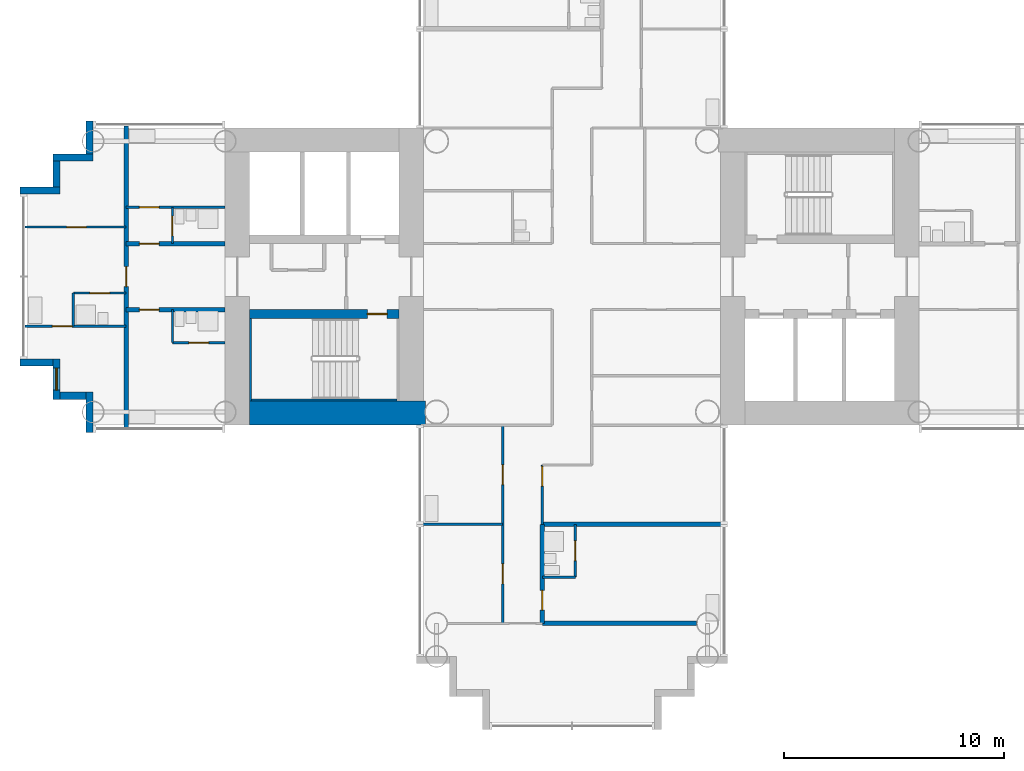
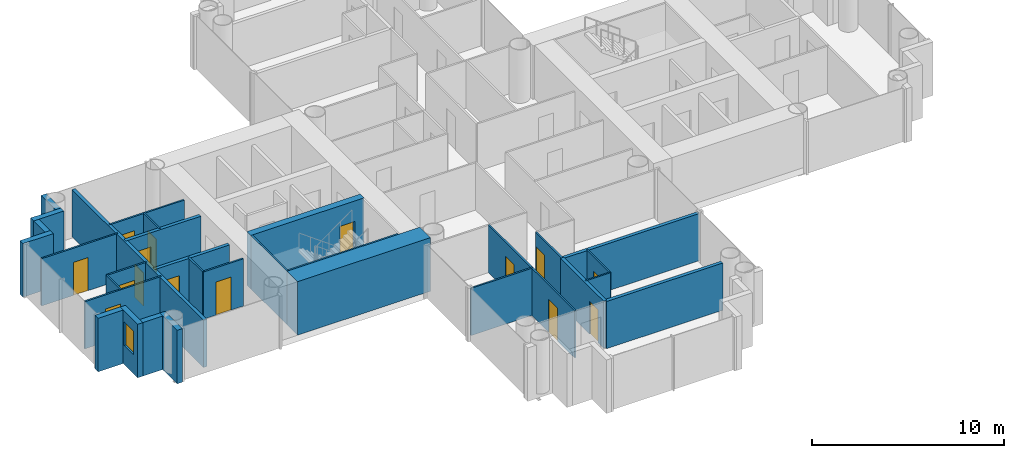
# One storey, part 9 of 22: 31 walls, 15 doors, 1 window, 16 openings.
"""IFC4 building model written with IfcOpenShell, lengths in metres."""

import ifcopenshell
import ifcopenshell.guid

model = None  # the IFC model being written
_history = None  # IfcOwnerHistory: only IFC2X3 demands one
_inside = {}  # id of a spatial element -> (the spatial element, [elements in it])
_under = {}  # id of a project, library or spatial element -> (it, [spatial elements below it])
_declared = {}  # id of a project -> (the project, [libraries it declares])
_typed = {}  # id of a type object -> (the type object, [elements of that type])
_made_of = {}  # id of a material, layer set ... -> (it, [elements and type objects made of it])


def new_model(schema):
    """Start an empty IFC model of exactly this schema.

    Asked for "IFC4X3", IfcOpenShell would pick the latest addendum, in which some entities
    have other attributes; the version numbers below select the first issue.
    IFC2X3 requires an IfcOwnerHistory on every rooted entity: one is made here for all.
    """
    global model, _history
    if schema == "IFC4X3":
        model = ifcopenshell.file(schema_version=(4, 3, 0, 0))
    else:
        model = ifcopenshell.file(schema=schema)
    _inside.clear()
    _under.clear()
    _declared.clear()
    _typed.clear()
    _made_of.clear()
    _history = None
    if model.schema == "IFC2X3":
        org = make("IfcOrganization", Name="unknown")
        user = make(
            "IfcPersonAndOrganization",
            ThePerson=make("IfcPerson", FamilyName="unknown"),
            TheOrganization=org,
        )
        app = make(
            "IfcApplication",
            ApplicationDeveloper=org,
            Version="unknown",
            ApplicationFullName="unknown",
            ApplicationIdentifier="unknown",
        )
        _history = make(
            "IfcOwnerHistory",
            OwningUser=user,
            OwningApplication=app,
            ChangeAction="ADDED",
            CreationDate=0,
        )
    return model


def make(cls, **values):
    """One entity of the class cls with the attributes given. An attribute that is None is left unset."""
    return model.create_entity(
        cls, **{name: value for name, value in values.items() if value is not None}
    )


def rooted(cls, **values):
    """An entity with a GlobalId (a new one), such as an element, a storey or a relation."""
    return make(cls, GlobalId=ifcopenshell.guid.new(), OwnerHistory=_history, **values)


def si_unit(unit_type, name, prefix=None):
    """IfcSIUnit, for example si_unit("LENGTHUNIT", "METRE", prefix="MILLI")."""
    return make("IfcSIUnit", UnitType=unit_type, Prefix=prefix, Name=name)


def assignment(units):
    """IfcUnitAssignment: the units of a project."""
    return None if units is None else make("IfcUnitAssignment", Units=units)


def point(xyz):
    """IfcCartesianPoint."""
    return None if xyz is None else make("IfcCartesianPoint", Coordinates=xyz)


def direction(xyz):
    """IfcDirection."""
    return None if xyz is None else make("IfcDirection", DirectionRatios=xyz)


def frame(location, z_axis=None, x_axis=None):
    """IfcAxis2Placement3D, a coordinate frame: its origin and axes. An axis left out is left unset."""
    return make(
        "IfcAxis2Placement3D",
        Location=point(location),
        Axis=direction(z_axis),
        RefDirection=direction(x_axis),
    )


def frame_2d(location, x_axis=None):
    """IfcAxis2Placement2D, a coordinate frame in the plane: its origin and x axis."""
    return make(
        "IfcAxis2Placement2D", Location=point(location), RefDirection=direction(x_axis)
    )


def origin():
    """The frame at (0, 0, 0) with its axes left unset."""
    return frame((0.0, 0.0, 0.0))


def place(relative_to, where):
    """IfcLocalPlacement: puts the frame where relative to a parent placement (None: the world)."""
    return make(
        "IfcLocalPlacement", PlacementRelTo=relative_to, RelativePlacement=where
    )


def context(
    kind, dimensions, precision=None, world=None, true_north=None, identifier=None
):
    """IfcGeometricRepresentationContext, for example the 3D "Model" context."""
    return make(
        "IfcGeometricRepresentationContext",
        ContextIdentifier=identifier,
        ContextType=kind,
        CoordinateSpaceDimension=dimensions,
        Precision=precision,
        WorldCoordinateSystem=world,
        TrueNorth=true_north,
    )


def subcontext(parent, identifier, kind, view, scale=None):
    """IfcGeometricRepresentationSubContext, for example "Body" below "Model"."""
    return make(
        "IfcGeometricRepresentationSubContext",
        ContextIdentifier=identifier,
        ContextType=kind,
        ParentContext=parent,
        TargetScale=scale,
        TargetView=view,
    )


def project(units=None, contexts=None):
    """IfcProject with its units and contexts."""
    return rooted(
        "IfcProject",
        Name="project",
        RepresentationContexts=contexts,
        UnitsInContext=assignment(units),
    )


def spatial(cls, under=None, at=None, **own):
    """A site, building, storey or space (cls), placed at a placement, below another one or the project."""
    s = rooted(cls, ObjectPlacement=at, **own)
    if under is not None:
        _under.setdefault(under.id(), (under, []))[1].append(s)
    return s


def profile(cls, at=None, kind="AREA", **sizes):
    """A parametric profile (cls). Its sizes go by their IFC names, for example OverallWidth=200.0."""
    return make(cls, ProfileType=kind, Position=at, **sizes)


def rectangle(**sizes):
    """IfcRectangleProfileDef."""
    return profile("IfcRectangleProfileDef", **sizes)


def extrude(swept, where, along, depth):
    """IfcExtrudedAreaSolid: the profile swept, set in the frame where, extruded along a direction by depth."""
    return make(
        "IfcExtrudedAreaSolid",
        SweptArea=swept,
        Position=where,
        ExtrudedDirection=direction(along),
        Depth=depth,
    )


def shape(context_of_items, identifier, shape_type, items):
    """IfcShapeRepresentation: the items that make up one representation, for example the "Body"."""
    return make(
        "IfcShapeRepresentation",
        ContextOfItems=context_of_items,
        RepresentationIdentifier=identifier,
        RepresentationType=shape_type,
        Items=items,
    )


def material(Name=None, Category=None):
    """IfcMaterial."""
    return make("IfcMaterial", Name=Name, Category=Category)


def layer(
    of_material, thickness, ventilated=None, Name=None, Category=None, Priority=None
):
    """IfcMaterialLayer: one layer of a wall or slab, of a material (None: an air gap)."""
    return make(
        "IfcMaterialLayer",
        Material=of_material,
        LayerThickness=thickness,
        IsVentilated=ventilated,
        Name=Name,
        Category=Category,
        Priority=Priority,
    )


def layer_set(layers, Name=None):
    """IfcMaterialLayerSet."""
    return make("IfcMaterialLayerSet", MaterialLayers=layers, LayerSetName=Name)


def made_of(thing, what):
    """Note that an element or type object is made of a material, layer set ...; save() writes the relation."""
    if what is not None:
        _made_of.setdefault(what.id(), (what, []))[1].append(thing)
    return thing


def type_object(cls, material=None, **own):
    """A type object (cls), such as IfcWallType, which elements share."""
    return made_of(rooted(cls, **own), material)


def element(
    cls,
    number,
    at=None,
    inside=None,
    cuts=None,
    type_object=None,
    material=None,
    context=None,
    identifier="Body",
    shape_type=None,
    held_by="IfcProductDefinitionShape",
    body=None,
    shapes=None,
    **own,
):
    """One element of the class cls, such as IfcWall. Its Tag is "e" and its number.

    at: its placement. inside: the storey or other place that contains it. cuts: it is an
    opening in that element (IfcRelVoidsElement). A single representation is given by context,
    identifier, shape_type and body (its items); several are given by shapes. held_by: the class
    of the entity that holds the representations. save() writes the other relations.
    """
    e = rooted(cls, Tag="e%d" % number, ObjectPlacement=at, **own)
    if body is not None:
        shapes = [shape(context, identifier, shape_type, body)]
    if shapes is not None:
        e.Representation = make(held_by, Representations=shapes)
    if inside is not None:
        _inside.setdefault(inside.id(), (inside, []))[1].append(e)
    if cuts is not None:
        rooted(
            "IfcRelVoidsElement", RelatingBuildingElement=cuts, RelatedOpeningElement=e
        )
    if type_object is not None:
        _typed.setdefault(type_object.id(), (type_object, []))[1].append(e)
    return made_of(e, material)


def fill(opening, filler):
    """IfcRelFillsElement: the door or window that sits in an opening."""
    return rooted(
        "IfcRelFillsElement",
        RelatingOpeningElement=opening,
        RelatedBuildingElement=filler,
    )


def aggregate(whole, parts):
    """IfcRelAggregates: a whole, such as a stair, and the parts it consists of."""
    return rooted("IfcRelAggregates", RelatingObject=whole, RelatedObjects=parts)


def save(model, path):
    """Write the relations noted so far, then the file.

    IfcRelAggregates (storeys below a building ...), IfcRelContainedInSpatialStructure (elements
    in a storey), IfcRelDefinesByType, IfcRelAssociatesMaterial and IfcRelDeclares: one each for
    every whole, place, type object, material and project.
    """
    for whole, parts in _under.values():
        aggregate(whole, parts)
    for where, things in _inside.values():
        rooted(
            "IfcRelContainedInSpatialStructure",
            RelatedElements=things,
            RelatingStructure=where,
        )
    for kind, things in _typed.values():
        rooted("IfcRelDefinesByType", RelatedObjects=things, RelatingType=kind)
    for what, things in _made_of.values():
        rooted("IfcRelAssociatesMaterial", RelatedObjects=things, RelatingMaterial=what)
    for by, libraries in _declared.values():
        rooted("IfcRelDeclares", RelatingContext=by, RelatedDefinitions=libraries)
    model.write(path)


model = new_model("IFC4")

# Units and contexts
model_context = context("Model", 3, precision=1e-05, world=origin(), true_north=direction((0.0, 1.0)))
body_context = subcontext(model_context, "Body", "Model", "MODEL_VIEW")
ifc_project = project(units=[si_unit("LENGTHUNIT", "METRE"), si_unit("AREAUNIT", "SQUARE_METRE"), si_unit("VOLUMEUNIT", "CUBIC_METRE"), si_unit("PLANEANGLEUNIT", "RADIAN"), si_unit("MASSUNIT", "GRAM", prefix="KILO")], contexts=[model_context])

# Site, building, storey
site_placement = place(None, origin())
site = spatial("IfcSite", under=ifc_project, at=site_placement, CompositionType="ELEMENT")
building_placement = place(site_placement, origin())
building = spatial("IfcBuilding", under=site, at=building_placement, Name="Ipe Terrace Towers", CompositionType="ELEMENT")
storey_placement = place(building_placement, frame((0.0, 0.0, 61.89990234375)))
storey = spatial("IfcBuildingStorey", under=building, at=storey_placement, Name="L16", CompositionType="ELEMENT", Elevation=61.89990234375)

# Wall
ifc_material_1 = material(Name="Concrete C40/50 with buff precast cladding", Category="concrete")
ifc_layer_1 = layer(ifc_material_1, 0.320068359375)
ifc_layer_set_1 = layer_set([ifc_layer_1], Name="BUFF CLADDING WALL 320")
wall_type_1 = type_object("IfcWallType", Name="BUFF CLADDING WALL 320", PredefinedType="STANDARD", material=ifc_layer_set_1)
wall_1_placement = place(storey_placement, frame((-61.070068359375, -3.909912109375, -0.2998046875), z_axis=(0.0, 0.0, 1.0), x_axis=(1.0, 0.0, 0.0)))
element("IfcWall", 1, at=wall_1_placement, inside=storey, type_object=wall_type_1, Name="T1-W-L16-00a wall", PredefinedType="STANDARD", context=body_context, shape_type="SweptSolid", body=[
    extrude(rectangle(XDim=1.5, YDim=0.320068359375, at=frame_2d((0.75, 0.0))), origin(), (0.0, 0.0, 1.0), 3.39990234375),
])

# Wall, opening, window
wall_2_placement = place(storey_placement, frame((-59.409912109375, -3.75, -0.2998046875), z_axis=(0.0, 0.0, 1.0), x_axis=(0.0, -1.0, 0.0)))
wall_2 = element("IfcWall", 2, at=wall_2_placement, inside=storey, type_object=wall_type_1, Name="T1-W-L16-01a wall", PredefinedType="STANDARD", context=body_context, shape_type="SweptSolid", body=[
    extrude(rectangle(XDim=1.820068359375, YDim=0.320068359375, at=frame_2d((0.91015625, 0.0))), origin(), (0.0, 0.0, 1.0), 3.39990234375),
])
opening_1_placement = place(wall_2_placement, frame((0.409912109375, 0.0, 1.199951171875)))
opening_1 = element("IfcOpeningElement", 3, at=opening_1_placement, cuts=wall_2, Name="Opening T1-W-05-L16-01", PredefinedType="OPENING", context=body_context, shape_type="SweptSolid", body=[
    extrude(rectangle(XDim=1.0, YDim=1.5, at=frame_2d((0.5, 0.75))), frame((0.0, 0.169921875, 0.0), z_axis=(0.0, -1.0, 0.0), x_axis=(1.0, 0.0, 0.0)), (0.0, 0.0, 1.0), 0.340087890625),
])
ifc_material_2 = material(Name="Glass, clear laminated", Category="glass")
window_type = type_object("IfcWindowType", Name="DWELLING WINDOW 1000 x 1500", PartitioningType="SINGLE_PANEL", PredefinedType="WINDOW", material=ifc_material_2)
window_placement = place(opening_1_placement, origin())
window = element("IfcWindow", 4, at=window_placement, inside=storey, type_object=window_type, Name="W-05 window", OverallHeight=1.5, OverallWidth=1.0, PartitioningType="SINGLE_PANEL", PredefinedType="WINDOW", context=body_context, shape_type="SweptSolid", body=[
    extrude(rectangle(XDim=1.0, YDim=1.5, at=frame_2d((0.5, 0.75))), frame((0.0, 0.030029296875, 0.0), z_axis=(0.0, -1.0, 0.0), x_axis=(1.0, 0.0, 0.0)), (0.0, 0.0, 1.0), 0.06005859375),
])
fill(opening_1, window)

# Walls
wall_3_placement = place(storey_placement, frame((-59.25, -5.409912109375, -0.2998046875), z_axis=(0.0, 0.0, 1.0), x_axis=(1.0, 0.0, 0.0)))
element("IfcWall", 5, at=wall_3_placement, inside=storey, type_object=wall_type_1, Name="T1-W-L16-02a wall", PredefinedType="STANDARD", context=body_context, shape_type="SweptSolid", body=[
    extrude(rectangle(XDim=1.179931640625, YDim=0.320068359375, at=frame_2d((0.58984375, 0.0))), origin(), (0.0, 0.0, 1.0), 3.39990234375),
])
wall_4_placement = place(storey_placement, frame((-57.909912109375, -5.25, -0.2998046875), z_axis=(0.0, 0.0, 1.0), x_axis=(0.0, -1.0, 0.0)))
element("IfcWall", 6, at=wall_4_placement, inside=storey, type_object=wall_type_1, Name="T1-W-L16-03a wall", PredefinedType="STANDARD", context=body_context, shape_type="SweptSolid", body=[
    extrude(rectangle(XDim=1.820068359375, YDim=0.320068359375, at=frame_2d((0.91015625, 0.0))), origin(), (0.0, 0.0, 1.0), 3.39990234375),
])
wall_5_placement = place(storey_placement, frame((-57.909912109375, 7.070068359375, -0.2998046875), z_axis=(0.0, 0.0, 1.0), x_axis=(0.0, -1.0, 0.0)))
element("IfcWall", 7, at=wall_5_placement, inside=storey, type_object=wall_type_1, Name="T1-W-L16-47a wall", PredefinedType="STANDARD", context=body_context, shape_type="SweptSolid", body=[
    extrude(rectangle(XDim=1.5, YDim=0.320068359375, at=frame_2d((0.75, 0.0))), origin(), (0.0, 0.0, 1.0), 3.39990234375),
])
wall_6_placement = place(storey_placement, frame((-57.75, 5.409912109375, -0.2998046875), z_axis=(0.0, 0.0, 1.0), x_axis=(-1.0, 0.0, 0.0)))
element("IfcWall", 8, at=wall_6_placement, inside=storey, type_object=wall_type_1, Name="T1-W-L16-48a wall", PredefinedType="STANDARD", context=body_context, shape_type="SweptSolid", body=[
    extrude(rectangle(XDim=1.820068359375, YDim=0.320068359375, at=frame_2d((0.91015625, 0.0))), origin(), (0.0, 0.0, 1.0), 3.39990234375),
])
wall_7_placement = place(storey_placement, frame((-59.409912109375, 5.25, -0.2998046875), z_axis=(0.0, 0.0, 1.0), x_axis=(0.0, -1.0, 0.0)))
element("IfcWall", 9, at=wall_7_placement, inside=storey, type_object=wall_type_1, Name="T1-W-L16-49a wall", PredefinedType="STANDARD", context=body_context, shape_type="SweptSolid", body=[
    extrude(rectangle(XDim=1.179931640625, YDim=0.320068359375, at=frame_2d((0.58984375, 0.0))), origin(), (0.0, 0.0, 1.0), 3.39990234375),
])
wall_8_placement = place(storey_placement, frame((-59.25, 3.909912109375, -0.2998046875), z_axis=(0.0, 0.0, 1.0), x_axis=(-1.0, 0.0, 0.0)))
element("IfcWall", 10, at=wall_8_placement, inside=storey, type_object=wall_type_1, Name="T1-W-L16-50a wall", PredefinedType="STANDARD", context=body_context, shape_type="SweptSolid", body=[
    extrude(rectangle(XDim=1.820068359375, YDim=0.320068359375, at=frame_2d((0.91015625, 0.0))), origin(), (0.0, 0.0, 1.0), 3.39990234375),
])
ifc_material_3 = material(Name="Gypsum board partition", Category="plasterboard")
ifc_layer_2 = layer(ifc_material_3, 0.10009765625)
ifc_layer_set_2 = layer_set([ifc_layer_2], Name="Gypsum board partition 100 mm")
wall_type_2 = type_object("IfcWallType", Name="Gypsum board partition 100 mm", PredefinedType="PARTITIONING", material=ifc_layer_set_2)
for number, where, z_axis, x_axis, name in (
    (11, (-58.64990234375, -2.25, 0.0), (0.0, 0.0, 1.0), (0.0, 1.0, 0.0), "Gypsum board partition T1 L16 W01"),
    (12, (-54.14990234375, -3.0, 0.0), (0.0, 0.0, 1.0), (0.0, 1.0, 0.0), "Gypsum board partition T1 L16 W03"),
):
    element("IfcWall", number, at=place(storey_placement, frame(where, z_axis=z_axis, x_axis=x_axis)), inside=storey, type_object=wall_type_2, Name=name, PredefinedType="PARTITIONING", context=body_context, shape_type="SweptSolid", body=[
        extrude(rectangle(XDim=1.5, YDim=0.10009765625, at=frame_2d((0.75, 0.0))), origin(), (0.0, 0.0, 1.0), 3.0),
    ])

# Wall, opening, door
wall_9_placement = place(storey_placement, frame((-54.14990234375, 1.5, 0.0), z_axis=(0.0, 0.0, 1.0), x_axis=(0.0, 1.0, 0.0)))
wall_9 = element("IfcWall", 13, at=wall_9_placement, inside=storey, type_object=wall_type_2, Name="Gypsum board partition T1 L16 W04", PredefinedType="PARTITIONING", context=body_context, shape_type="SweptSolid", body=[
    extrude(rectangle(XDim=1.64990234375, YDim=0.10009765625, at=frame_2d((0.824951171875, 0.0))), origin(), (0.0, 0.0, 1.0), 3.0),
])
opening_2_placement = place(wall_9_placement, frame((0.35009765625, 0.0, 0.0)))
opening_2 = element("IfcOpeningElement", 14, at=opening_2_placement, cuts=wall_9, Name="Opening T1-Z1D-29", PredefinedType="OPENING", context=body_context, shape_type="SweptSolid", body=[
    extrude(rectangle(XDim=0.89990234375, YDim=2.10009765625, at=frame_2d((0.449951171875, 1.050048828125))), frame((0.0, 0.06005859375, 0.0), z_axis=(0.0, -1.0, 0.0), x_axis=(1.0, 0.0, 0.0)), (0.0, 0.0, 1.0), 0.1201171875),
])
ifc_material_4 = material(Name="Timber door leaf", Category="wood")
door_type_1 = type_object("IfcDoorType", Name="Bathroom door 900 x 2100", OperationType="NOTDEFINED", PredefinedType="DOOR", material=ifc_material_4)
door_1_placement = place(opening_2_placement, origin())
door_1 = element("IfcDoor", 15, at=door_1_placement, inside=storey, type_object=door_type_1, Name="Bathroom door T1-Z1D-29", OperationType="SINGLE_SWING_LEFT", OverallHeight=2.10009765625, OverallWidth=0.89990234375, PredefinedType="DOOR", context=body_context, shape_type="SweptSolid", body=[
    extrude(rectangle(XDim=0.89990234375, YDim=2.10009765625, at=frame_2d((0.449951171875, 1.050048828125))), frame((0.0, 0.02490234375, 0.0), z_axis=(0.0, -1.0, 0.0), x_axis=(1.0, 0.0, 0.0)), (0.0, 0.0, 1.0), 0.050048828125),
])
fill(opening_2, door_1)

# Wall, openings, doors
wall_10_placement = place(storey_placement, frame((-39.14990234375, -15.75, 0.0), z_axis=(0.0, 0.0, 1.0), x_axis=(0.0, 1.0, 0.0)))
wall_10 = element("IfcWall", 16, at=wall_10_placement, inside=storey, type_object=wall_type_2, Name="Gypsum board partition T1 L16 W05", PredefinedType="PARTITIONING", context=body_context, shape_type="SweptSolid", body=[
    extrude(rectangle(XDim=9.0, YDim=0.10009765625, at=frame_2d((4.5, 0.0))), origin(), (0.0, 0.0, 1.0), 3.0),
])
opening_3_placement = place(wall_10_placement, frame((6.300048828125, 0.0, 0.0)))
opening_3 = element("IfcOpeningElement", 17, at=opening_3_placement, cuts=wall_10, Name="Opening T1-Z1D-18", PredefinedType="OPENING", context=body_context, shape_type="SweptSolid", body=[
    extrude(rectangle(XDim=0.89990234375, YDim=2.10009765625, at=frame_2d((0.449951171875, 1.050048828125))), frame((0.0, 0.06005859375, 0.0), z_axis=(0.0, -1.0, 0.0), x_axis=(1.0, 0.0, 0.0)), (0.0, 0.0, 1.0), 0.1201171875),
])
opening_4_placement = place(wall_10_placement, frame((1.800048828125, 0.0, 0.0)))
opening_4 = element("IfcOpeningElement", 18, at=opening_4_placement, cuts=wall_10, Name="Opening T1-Z1D-19", PredefinedType="OPENING", context=body_context, shape_type="SweptSolid", body=[
    extrude(rectangle(XDim=0.89990234375, YDim=2.10009765625, at=frame_2d((0.449951171875, 1.050048828125))), frame((0.0, 0.06005859375, 0.0), z_axis=(0.0, -1.0, 0.0), x_axis=(1.0, 0.0, 0.0)), (0.0, 0.0, 1.0), 0.1201171875),
])
ifc_material_5 = material(Name="Timber door leaf", Category="wood")
door_type_2 = type_object("IfcDoorType", Name="Lounge door 900 x 2100", OperationType="NOTDEFINED", PredefinedType="DOOR", material=ifc_material_5)
door_2_placement = place(opening_3_placement, origin())
door_2 = element("IfcDoor", 19, at=door_2_placement, inside=storey, type_object=door_type_2, Name="Lounge door T1-Z1D-18", OperationType="SINGLE_SWING_LEFT", OverallHeight=2.10009765625, OverallWidth=0.89990234375, PredefinedType="DOOR", context=body_context, shape_type="SweptSolid", body=[
    extrude(rectangle(XDim=0.89990234375, YDim=2.10009765625, at=frame_2d((0.449951171875, 1.050048828125))), frame((0.0, 0.02490234375, 0.0), z_axis=(0.0, -1.0, 0.0), x_axis=(1.0, 0.0, 0.0)), (0.0, 0.0, 1.0), 0.050048828125),
])
fill(opening_3, door_2)
door_3_placement = place(opening_4_placement, origin())
door_3 = element("IfcDoor", 20, at=door_3_placement, inside=storey, type_object=door_type_2, Name="Lounge door T1-Z1D-19", OperationType="SINGLE_SWING_RIGHT", OverallHeight=2.10009765625, OverallWidth=0.89990234375, PredefinedType="DOOR", context=body_context, shape_type="SweptSolid", body=[
    extrude(rectangle(XDim=0.89990234375, YDim=2.10009765625, at=frame_2d((0.449951171875, 1.050048828125))), frame((0.0, 0.02490234375, 0.0), z_axis=(0.0, -1.0, 0.0), x_axis=(1.0, 0.0, 0.0)), (0.0, 0.0, 1.0), 0.050048828125),
])
fill(opening_4, door_3)

# Wall, opening, door
wall_11_placement = place(storey_placement, frame((-37.35009765625, -11.25, 0.0), z_axis=(0.0, 0.0, 1.0), x_axis=(0.0, 1.0, 0.0)))
wall_11 = element("IfcWall", 21, at=wall_11_placement, inside=storey, type_object=wall_type_2, Name="Gypsum board partition T1 L16 W07", PredefinedType="PARTITIONING", context=body_context, shape_type="SweptSolid", body=[
    extrude(rectangle(XDim=2.699951171875, YDim=0.10009765625, at=frame_2d((1.35009765625, 0.0))), origin(), (0.0, 0.0, 1.0), 3.0),
])
opening_5_placement = place(wall_11_placement, frame((1.72998046875, 0.0, 0.0)))
opening_5 = element("IfcOpeningElement", 22, at=opening_5_placement, cuts=wall_11, Name="Opening T1-Z1D-15", PredefinedType="OPENING", context=body_context, shape_type="SweptSolid", body=[
    extrude(rectangle(XDim=0.89990234375, YDim=2.10009765625, at=frame_2d((0.449951171875, 1.050048828125))), frame((0.0, 0.06005859375, 0.0), z_axis=(0.0, -1.0, 0.0), x_axis=(1.0, 0.0, 0.0)), (0.0, 0.0, 1.0), 0.1201171875),
])
door_4_placement = place(opening_5_placement, origin())
door_4 = element("IfcDoor", 23, at=door_4_placement, inside=storey, type_object=door_type_2, Name="Lounge door T1-Z1D-15", OperationType="SINGLE_SWING_RIGHT", OverallHeight=2.10009765625, OverallWidth=0.89990234375, PredefinedType="DOOR", context=body_context, shape_type="SweptSolid", body=[
    extrude(rectangle(XDim=0.89990234375, YDim=2.10009765625, at=frame_2d((0.449951171875, 1.050048828125))), frame((0.0, 0.02490234375, 0.0), z_axis=(0.0, -1.0, 0.0), x_axis=(1.0, 0.0, 0.0)), (0.0, 0.0, 1.0), 0.050048828125),
])
fill(opening_5, door_4)

wall_12_placement = place(storey_placement, frame((-35.85009765625, -13.64990234375, 0.0), z_axis=(0.0, 0.0, 1.0), x_axis=(0.0, 1.0, 0.0)))
wall_12 = element("IfcWall", 24, at=wall_12_placement, inside=storey, type_object=wall_type_2, Name="Gypsum board partition T1 L16 W12", PredefinedType="PARTITIONING", context=body_context, shape_type="SweptSolid", body=[
    extrude(rectangle(XDim=2.39990234375, YDim=0.10009765625, at=frame_2d((1.199951171875, 0.0))), origin(), (0.0, 0.0, 1.0), 3.0),
])
opening_6_placement = place(wall_12_placement, frame((0.75, 0.0, 0.0)))
opening_6 = element("IfcOpeningElement", 25, at=opening_6_placement, cuts=wall_12, Name="Opening T1-Z1D-17", PredefinedType="OPENING", context=body_context, shape_type="SweptSolid", body=[
    extrude(rectangle(XDim=0.89990234375, YDim=2.10009765625, at=frame_2d((0.449951171875, 1.050048828125))), frame((0.0, 0.06005859375, 0.0), z_axis=(0.0, -1.0, 0.0), x_axis=(1.0, 0.0, 0.0)), (0.0, 0.0, 1.0), 0.1201171875),
])
door_5_placement = place(opening_6_placement, origin())
door_5 = element("IfcDoor", 26, at=door_5_placement, inside=storey, type_object=door_type_1, Name="Bathroom door T1-Z1D-17", OperationType="SINGLE_SWING_LEFT", OverallHeight=2.10009765625, OverallWidth=0.89990234375, PredefinedType="DOOR", context=body_context, shape_type="SweptSolid", body=[
    extrude(rectangle(XDim=0.89990234375, YDim=2.10009765625, at=frame_2d((0.449951171875, 1.050048828125))), frame((0.0, 0.02490234375, 0.0), z_axis=(0.0, -1.0, 0.0), x_axis=(1.0, 0.0, 0.0)), (0.0, 0.0, 1.0), 0.050048828125),
])
fill(opening_6, door_5)

# Walls
wall_13_placement = place(storey_placement, frame((-37.35009765625, -13.64990234375, 0.0), z_axis=(0.0, 0.0, 1.0), x_axis=(1.0, 0.0, 0.0)))
element("IfcWall", 27, at=wall_13_placement, inside=storey, type_object=wall_type_2, Name="Gypsum board partition T1 L16 W24", PredefinedType="PARTITIONING", context=body_context, shape_type="SweptSolid", body=[
    extrude(rectangle(XDim=1.5, YDim=0.10009765625, at=frame_2d((0.75, 0.0))), origin(), (0.0, 0.0, 1.0), 3.0),
])
wall_14_placement = place(storey_placement, frame((-42.85009765625, -11.25, 0.0), z_axis=(0.0, 0.0, 1.0), x_axis=(1.0, 0.0, 0.0)))
element("IfcWall", 28, at=wall_14_placement, inside=storey, type_object=wall_type_2, Name="Gypsum board partition T1 L16 W25", PredefinedType="PARTITIONING", context=body_context, shape_type="SweptSolid", body=[
    extrude(rectangle(XDim=3.7001953125, YDim=0.10009765625, at=frame_2d((1.85009765625, 0.0))), origin(), (0.0, 0.0, 1.0), 3.0),
])

# Wall, opening, door
wall_15_placement = place(storey_placement, frame((-54.14990234375, -3.0, 0.0), z_axis=(0.0, 0.0, 1.0), x_axis=(1.0, 0.0, 0.0)))
wall_15 = element("IfcWall", 29, at=wall_15_placement, inside=storey, type_object=wall_type_2, Name="Gypsum board partition T1 L16 W31", PredefinedType="PARTITIONING", context=body_context, shape_type="SweptSolid", body=[
    extrude(rectangle(XDim=2.39990234375, YDim=0.10009765625, at=frame_2d((1.199951171875, 0.0))), origin(), (0.0, 0.0, 1.0), 3.0),
])
opening_7_placement = place(wall_15_placement, frame((0.75, 0.0, 0.0)))
opening_7 = element("IfcOpeningElement", 30, at=opening_7_placement, cuts=wall_15, Name="Opening T1-Z1D-26", PredefinedType="OPENING", context=body_context, shape_type="SweptSolid", body=[
    extrude(rectangle(XDim=0.89990234375, YDim=2.10009765625, at=frame_2d((0.449951171875, 1.050048828125))), frame((0.0, 0.06005859375, 0.0), z_axis=(0.0, -1.0, 0.0), x_axis=(1.0, 0.0, 0.0)), (0.0, 0.0, 1.0), 0.1201171875),
])
door_6_placement = place(opening_7_placement, origin())
door_6 = element("IfcDoor", 31, at=door_6_placement, inside=storey, type_object=door_type_1, Name="Bathroom door T1-Z1D-26", OperationType="SINGLE_SWING_LEFT", OverallHeight=2.10009765625, OverallWidth=0.89990234375, PredefinedType="DOOR", context=body_context, shape_type="SweptSolid", body=[
    extrude(rectangle(XDim=0.89990234375, YDim=2.10009765625, at=frame_2d((0.449951171875, 1.050048828125))), frame((0.0, 0.02490234375, 0.0), z_axis=(0.0, -1.0, 0.0), x_axis=(1.0, 0.0, 0.0)), (0.0, 0.0, 1.0), 0.050048828125),
])
fill(opening_7, door_6)

wall_16_placement = place(storey_placement, frame((-60.85009765625, -2.25, 0.0), z_axis=(0.0, 0.0, 1.0), x_axis=(1.0, 0.0, 0.0)))
wall_16 = element("IfcWall", 32, at=wall_16_placement, inside=storey, type_object=wall_type_2, Name="Gypsum board partition T1 L16 W32", PredefinedType="PARTITIONING", context=body_context, shape_type="SweptSolid", body=[
    extrude(rectangle(XDim=4.60009765625, YDim=0.10009765625, at=frame_2d((2.300048828125, 0.0))), origin(), (0.0, 0.0, 1.0), 3.0),
])
opening_8_placement = place(wall_16_placement, frame((1.25, 0.0, 0.0)))
opening_8 = element("IfcOpeningElement", 33, at=opening_8_placement, cuts=wall_16, Name="Opening T1-Z1D-32", PredefinedType="OPENING", context=body_context, shape_type="SweptSolid", body=[
    extrude(rectangle(XDim=0.89990234375, YDim=2.10009765625, at=frame_2d((0.449951171875, 1.050048828125))), frame((0.0, 0.06005859375, 0.0), z_axis=(0.0, -1.0, 0.0), x_axis=(1.0, 0.0, 0.0)), (0.0, 0.0, 1.0), 0.1201171875),
])
ifc_material_6 = material(Name="Timber door leaf", Category="wood")
door_type_3 = type_object("IfcDoorType", Name="Bedroom door 900 x 2100", OperationType="NOTDEFINED", PredefinedType="DOOR", material=ifc_material_6)
door_7_placement = place(opening_8_placement, origin())
door_7 = element("IfcDoor", 34, at=door_7_placement, inside=storey, type_object=door_type_3, Name="Bedroom door T1-Z1D-32", OperationType="SINGLE_SWING_LEFT", OverallHeight=2.10009765625, OverallWidth=0.89990234375, PredefinedType="DOOR", context=body_context, shape_type="SweptSolid", body=[
    extrude(rectangle(XDim=0.89990234375, YDim=2.10009765625, at=frame_2d((0.449951171875, 1.050048828125))), frame((0.0, 0.02490234375, 0.0), z_axis=(0.0, -1.0, 0.0), x_axis=(1.0, 0.0, 0.0)), (0.0, 0.0, 1.0), 0.050048828125),
])
fill(opening_8, door_7)

wall_17_placement = place(storey_placement, frame((-58.64990234375, -0.75, 0.0), z_axis=(0.0, 0.0, 1.0), x_axis=(1.0, 0.0, 0.0)))
wall_17 = element("IfcWall", 35, at=wall_17_placement, inside=storey, type_object=wall_type_2, Name="Gypsum board partition T1 L16 W37", PredefinedType="PARTITIONING", context=body_context, shape_type="SweptSolid", body=[
    extrude(rectangle(XDim=2.39990234375, YDim=0.10009765625, at=frame_2d((1.199951171875, 0.0))), origin(), (0.0, 0.0, 1.0), 3.0),
])
opening_9_placement = place(wall_17_placement, frame((0.75, 0.0, 0.0)))
opening_9 = element("IfcOpeningElement", 36, at=opening_9_placement, cuts=wall_17, Name="Opening T1-Z1D-30", PredefinedType="OPENING", context=body_context, shape_type="SweptSolid", body=[
    extrude(rectangle(XDim=0.89990234375, YDim=2.10009765625, at=frame_2d((0.449951171875, 1.050048828125))), frame((0.0, 0.06005859375, 0.0), z_axis=(0.0, -1.0, 0.0), x_axis=(1.0, 0.0, 0.0)), (0.0, 0.0, 1.0), 0.1201171875),
])
door_8_placement = place(opening_9_placement, origin())
door_8 = element("IfcDoor", 37, at=door_8_placement, inside=storey, type_object=door_type_1, Name="Bathroom door T1-Z1D-30", OperationType="SINGLE_SWING_RIGHT", OverallHeight=2.10009765625, OverallWidth=0.89990234375, PredefinedType="DOOR", context=body_context, shape_type="SweptSolid", body=[
    extrude(rectangle(XDim=0.89990234375, YDim=2.10009765625, at=frame_2d((0.449951171875, 1.050048828125))), frame((0.0, 0.02490234375, 0.0), z_axis=(0.0, -1.0, 0.0), x_axis=(1.0, 0.0, 0.0)), (0.0, 0.0, 1.0), 0.050048828125),
])
fill(opening_9, door_8)

wall_18_placement = place(storey_placement, frame((-60.85009765625, 2.25, 0.0), z_axis=(0.0, 0.0, 1.0), x_axis=(1.0, 0.0, 0.0)))
wall_18 = element("IfcWall", 38, at=wall_18_placement, inside=storey, type_object=wall_type_2, Name="Gypsum board partition T1 L16 W42", PredefinedType="PARTITIONING", context=body_context, shape_type="SweptSolid", body=[
    extrude(rectangle(XDim=4.60009765625, YDim=0.10009765625, at=frame_2d((2.300048828125, 0.0))), origin(), (0.0, 0.0, 1.0), 3.0),
])
opening_10_placement = place(wall_18_placement, frame((1.89990234375, 0.0, 0.0)))
opening_10 = element("IfcOpeningElement", 39, at=opening_10_placement, cuts=wall_18, Name="Opening T1-Z1D-33", PredefinedType="OPENING", context=body_context, shape_type="SweptSolid", body=[
    extrude(rectangle(XDim=0.89990234375, YDim=2.10009765625, at=frame_2d((0.449951171875, 1.050048828125))), frame((0.0, 0.06005859375, 0.0), z_axis=(0.0, -1.0, 0.0), x_axis=(1.0, 0.0, 0.0)), (0.0, 0.0, 1.0), 0.1201171875),
])
door_9_placement = place(opening_10_placement, origin())
door_9 = element("IfcDoor", 40, at=door_9_placement, inside=storey, type_object=door_type_2, Name="Lounge door T1-Z1D-33", OperationType="SINGLE_SWING_LEFT", OverallHeight=2.10009765625, OverallWidth=0.89990234375, PredefinedType="DOOR", context=body_context, shape_type="SweptSolid", body=[
    extrude(rectangle(XDim=0.89990234375, YDim=2.10009765625, at=frame_2d((0.449951171875, 1.050048828125))), frame((0.0, 0.02490234375, 0.0), z_axis=(0.0, -1.0, 0.0), x_axis=(1.0, 0.0, 0.0)), (0.0, 0.0, 1.0), 0.050048828125),
])
fill(opening_10, door_9)

wall_19_placement = place(storey_placement, frame((-56.25, 3.14990234375, 0.0), z_axis=(0.0, 0.0, 1.0), x_axis=(1.0, 0.0, 0.0)))
wall_19 = element("IfcWall", 41, at=wall_19_placement, inside=storey, type_object=wall_type_2, Name="Gypsum board partition T1 L16 W44", PredefinedType="PARTITIONING", context=body_context, shape_type="SweptSolid", body=[
    extrude(rectangle(XDim=4.5, YDim=0.10009765625, at=frame_2d((2.25, 0.0))), origin(), (0.0, 0.0, 1.0), 3.0),
])
opening_11_placement = place(wall_19_placement, frame((0.60009765625, 0.0, 0.0)))
opening_11 = element("IfcOpeningElement", 42, at=opening_11_placement, cuts=wall_19, Name="Opening T1-Z1D-28", PredefinedType="OPENING", context=body_context, shape_type="SweptSolid", body=[
    extrude(rectangle(XDim=0.89990234375, YDim=2.10009765625, at=frame_2d((0.449951171875, 1.050048828125))), frame((0.0, 0.06005859375, 0.0), z_axis=(0.0, -1.0, 0.0), x_axis=(1.0, 0.0, 0.0)), (0.0, 0.0, 1.0), 0.1201171875),
])
door_10_placement = place(opening_11_placement, origin())
door_10 = element("IfcDoor", 43, at=door_10_placement, inside=storey, type_object=door_type_3, Name="Bedroom door T1-Z1D-28", OperationType="SINGLE_SWING_RIGHT", OverallHeight=2.10009765625, OverallWidth=0.89990234375, PredefinedType="DOOR", context=body_context, shape_type="SweptSolid", body=[
    extrude(rectangle(XDim=0.89990234375, YDim=2.10009765625, at=frame_2d((0.449951171875, 1.050048828125))), frame((0.0, 0.02490234375, 0.0), z_axis=(0.0, -1.0, 0.0), x_axis=(1.0, 0.0, 0.0)), (0.0, 0.0, 1.0), 0.050048828125),
])
fill(opening_11, door_10)

ifc_material_7 = material(Name="Gypsum board party wall", Category="plasterboard")
ifc_layer_3 = layer(ifc_material_7, 0.199951171875)
ifc_layer_set_3 = layer_set([ifc_layer_3], Name="Gypsum board party wall 200 mm")
wall_type_3 = type_object("IfcWallType", Name="Gypsum board party wall 200 mm", PredefinedType="SOLIDWALL", material=ifc_layer_set_3)
wall_20_placement = place(storey_placement, frame((-56.25, -6.85009765625, 0.0), z_axis=(0.0, 0.0, 1.0), x_axis=(0.0, 1.0, 0.0)))
wall_20 = element("IfcWall", 44, at=wall_20_placement, inside=storey, type_object=wall_type_3, Name="Gypsum board party wall T1 L16 W02", PredefinedType="SOLIDWALL", context=body_context, shape_type="SweptSolid", body=[
    extrude(rectangle(XDim=13.7001953125, YDim=0.199951171875, at=frame_2d((6.85009765625, 0.0))), origin(), (0.0, 0.0, 1.0), 3.0),
])
opening_12_placement = place(wall_20_placement, frame((6.39990234375, 0.0, 0.0)))
opening_12 = element("IfcOpeningElement", 45, at=opening_12_placement, cuts=wall_20, Name="Opening T1-Z1D-31", PredefinedType="OPENING", context=body_context, shape_type="SweptSolid", body=[
    extrude(rectangle(XDim=0.89990234375, YDim=2.10009765625, at=frame_2d((0.449951171875, 1.050048828125))), frame((0.0, 0.10986328125, 0.0), z_axis=(0.0, -1.0, 0.0), x_axis=(1.0, 0.0, 0.0)), (0.0, 0.0, 1.0), 0.219970703125),
])
ifc_material_8 = material(Name="Fire-rated timber door leaf", Category="wood")
door_type_4 = type_object("IfcDoorType", Name="Flat entrance door 900 x 2100 FD30S", OperationType="NOTDEFINED", PredefinedType="DOOR", material=ifc_material_8)
door_11_placement = place(opening_12_placement, origin())
door_11 = element("IfcDoor", 46, at=door_11_placement, inside=storey, type_object=door_type_4, Name="Flat entrance door T1-Z1D-31", OperationType="SINGLE_SWING_LEFT", OverallHeight=2.10009765625, OverallWidth=0.89990234375, PredefinedType="DOOR", context=body_context, shape_type="SweptSolid", body=[
    extrude(rectangle(XDim=0.89990234375, YDim=2.10009765625, at=frame_2d((0.449951171875, 1.050048828125))), frame((0.0, 0.02490234375, 0.0), z_axis=(0.0, -1.0, 0.0), x_axis=(1.0, 0.0, 0.0)), (0.0, 0.0, 1.0), 0.050048828125),
])
fill(opening_12, door_11)

wall_21_placement = place(storey_placement, frame((-37.35009765625, -15.75, 0.0), z_axis=(0.0, 0.0, 1.0), x_axis=(0.0, 1.0, 0.0)))
wall_21 = element("IfcWall", 47, at=wall_21_placement, inside=storey, type_object=wall_type_3, Name="Gypsum board party wall T1 L16 W08", PredefinedType="SOLIDWALL", context=body_context, shape_type="SweptSolid", body=[
    extrude(rectangle(XDim=4.5, YDim=0.199951171875, at=frame_2d((2.25, 0.0))), origin(), (0.0, 0.0, 1.0), 3.0),
])
opening_13_placement = place(wall_21_placement, frame((0.60009765625, 0.0, 0.0)))
opening_13 = element("IfcOpeningElement", 48, at=opening_13_placement, cuts=wall_21, Name="Opening T1-Z1D-16", PredefinedType="OPENING", context=body_context, shape_type="SweptSolid", body=[
    extrude(rectangle(XDim=0.89990234375, YDim=2.10009765625, at=frame_2d((0.449951171875, 1.050048828125))), frame((0.0, 0.10986328125, 0.0), z_axis=(0.0, -1.0, 0.0), x_axis=(1.0, 0.0, 0.0)), (0.0, 0.0, 1.0), 0.219970703125),
])
door_12_placement = place(opening_13_placement, origin())
door_12 = element("IfcDoor", 49, at=door_12_placement, inside=storey, type_object=door_type_4, Name="Flat entrance door T1-Z1D-16", OperationType="SINGLE_SWING_LEFT", OverallHeight=2.10009765625, OverallWidth=0.89990234375, PredefinedType="DOOR", context=body_context, shape_type="SweptSolid", body=[
    extrude(rectangle(XDim=0.89990234375, YDim=2.10009765625, at=frame_2d((0.449951171875, 1.050048828125))), frame((0.0, 0.02490234375, 0.0), z_axis=(0.0, -1.0, 0.0), x_axis=(1.0, 0.0, 0.0)), (0.0, 0.0, 1.0), 0.050048828125),
])
fill(opening_13, door_12)

# Walls
wall_22_placement = place(storey_placement, frame((-37.35009765625, -15.75, 0.0), z_axis=(0.0, 0.0, 1.0), x_axis=(1.0, 0.0, 0.0)))
element("IfcWall", 50, at=wall_22_placement, inside=storey, type_object=wall_type_3, Name="Gypsum board party wall T1 L16 W23", PredefinedType="SOLIDWALL", context=body_context, shape_type="SweptSolid", body=[
    extrude(rectangle(XDim=7.0, YDim=0.199951171875, at=frame_2d((3.5, 0.0))), origin(), (0.0, 0.0, 1.0), 3.0),
])
wall_23_placement = place(storey_placement, frame((-37.35009765625, -11.25, 0.0), z_axis=(0.0, 0.0, 1.0), x_axis=(1.0, 0.0, 0.0)))
element("IfcWall", 51, at=wall_23_placement, inside=storey, type_object=wall_type_3, Name="Gypsum board party wall T1 L16 W26", PredefinedType="SOLIDWALL", context=body_context, shape_type="SweptSolid", body=[
    extrude(rectangle(XDim=8.2001953125, YDim=0.199951171875, at=frame_2d((4.10009765625, 0.0))), origin(), (0.0, 0.0, 1.0), 3.0),
])

# Wall, opening, door
wall_24_placement = place(storey_placement, frame((-56.25, -1.5, 0.0), z_axis=(0.0, 0.0, 1.0), x_axis=(1.0, 0.0, 0.0)))
wall_24 = element("IfcWall", 52, at=wall_24_placement, inside=storey, type_object=wall_type_3, Name="Gypsum board party wall T1 L16 W36", PredefinedType="SOLIDWALL", context=body_context, shape_type="SweptSolid", body=[
    extrude(rectangle(XDim=4.5, YDim=0.199951171875, at=frame_2d((2.25, 0.0))), origin(), (0.0, 0.0, 1.0), 3.0),
])
opening_14_placement = place(wall_24_placement, frame((0.60009765625, 0.0, 0.0)))
opening_14 = element("IfcOpeningElement", 53, at=opening_14_placement, cuts=wall_24, Name="Opening T1-Z1D-25", PredefinedType="OPENING", context=body_context, shape_type="SweptSolid", body=[
    extrude(rectangle(XDim=0.89990234375, YDim=2.10009765625, at=frame_2d((0.449951171875, 1.050048828125))), frame((0.0, 0.10986328125, 0.0), z_axis=(0.0, -1.0, 0.0), x_axis=(1.0, 0.0, 0.0)), (0.0, 0.0, 1.0), 0.219970703125),
])
door_13_placement = place(opening_14_placement, origin())
door_13 = element("IfcDoor", 54, at=door_13_placement, inside=storey, type_object=door_type_4, Name="Flat entrance door T1-Z1D-25", OperationType="SINGLE_SWING_LEFT", OverallHeight=2.10009765625, OverallWidth=0.89990234375, PredefinedType="DOOR", context=body_context, shape_type="SweptSolid", body=[
    extrude(rectangle(XDim=0.89990234375, YDim=2.10009765625, at=frame_2d((0.449951171875, 1.050048828125))), frame((0.0, 0.02490234375, 0.0), z_axis=(0.0, -1.0, 0.0), x_axis=(1.0, 0.0, 0.0)), (0.0, 0.0, 1.0), 0.050048828125),
])
fill(opening_14, door_13)

wall_25_placement = place(storey_placement, frame((-56.25, 1.5, 0.0), z_axis=(0.0, 0.0, 1.0), x_axis=(1.0, 0.0, 0.0)))
wall_25 = element("IfcWall", 55, at=wall_25_placement, inside=storey, type_object=wall_type_3, Name="Gypsum board party wall T1 L16 W40", PredefinedType="SOLIDWALL", context=body_context, shape_type="SweptSolid", body=[
    extrude(rectangle(XDim=4.5, YDim=0.199951171875, at=frame_2d((2.25, 0.0))), origin(), (0.0, 0.0, 1.0), 3.0),
])
opening_15_placement = place(wall_25_placement, frame((0.60009765625, 0.0, 0.0)))
opening_15 = element("IfcOpeningElement", 56, at=opening_15_placement, cuts=wall_25, Name="Opening T1-Z1D-27", PredefinedType="OPENING", context=body_context, shape_type="SweptSolid", body=[
    extrude(rectangle(XDim=0.89990234375, YDim=2.10009765625, at=frame_2d((0.449951171875, 1.050048828125))), frame((0.0, 0.10986328125, 0.0), z_axis=(0.0, -1.0, 0.0), x_axis=(1.0, 0.0, 0.0)), (0.0, 0.0, 1.0), 0.219970703125),
])
door_14_placement = place(opening_15_placement, origin())
door_14 = element("IfcDoor", 57, at=door_14_placement, inside=storey, type_object=door_type_4, Name="Flat entrance door T1-Z1D-27", OperationType="SINGLE_SWING_RIGHT", OverallHeight=2.10009765625, OverallWidth=0.89990234375, PredefinedType="DOOR", context=body_context, shape_type="SweptSolid", body=[
    extrude(rectangle(XDim=0.89990234375, YDim=2.10009765625, at=frame_2d((0.449951171875, 1.050048828125))), frame((0.0, 0.02490234375, 0.0), z_axis=(0.0, -1.0, 0.0), x_axis=(1.0, 0.0, 0.0)), (0.0, 0.0, 1.0), 0.050048828125),
])
fill(opening_15, door_14)

# Walls
ifc_material_9 = material(Name="Concrete C60/75", Category="concrete")
ifc_layer_4 = layer(ifc_material_9, 0.10009765625)
ifc_layer_set_4 = layer_set([ifc_layer_4], Name="RW100 CORE INFILL WALL 100 C60-75")
wall_type_4 = type_object("IfcWallType", Name="RW100 CORE INFILL WALL 100 C60-75", PredefinedType="SHEAR", material=ifc_layer_set_4)
wall_26_placement = place(storey_placement, frame((-50.60009765625, -1.89990234375, 0.0), z_axis=(0.0, 0.0, 1.0), x_axis=(0.0, -1.0, 0.0)))
element("IfcWall", 58, at=wall_26_placement, inside=storey, type_object=wall_type_4, Name="Core infill wall T1-C2-far", PredefinedType="SHEAR", context=body_context, shape_type="SweptSolid", body=[
    extrude(rectangle(XDim=3.75, YDim=0.10009765625, at=frame_2d((1.875, 0.0))), origin(), (0.0, 0.0, 1.0), 3.400146484375),
])
wall_27_placement = place(storey_placement, frame((-43.949951171875, -5.60009765625, 0.0), z_axis=(0.0, 0.0, 1.0), x_axis=(-1.0, 0.0, 0.0)))
element("IfcWall", 59, at=wall_27_placement, inside=storey, type_object=wall_type_4, Name="Core infill wall T1-C2-back", PredefinedType="SHEAR", context=body_context, shape_type="SweptSolid", body=[
    extrude(rectangle(XDim=6.60009765625, YDim=0.10009765625, at=frame_2d((3.300048828125, 0.0))), origin(), (0.0, 0.0, 1.0), 3.400146484375),
])
ifc_material_10 = material(Name="Concrete C60/75", Category="concrete")
ifc_layer_5 = layer(ifc_material_10, 1.10009765625)
ifc_layer_set_5 = layer_set([ifc_layer_5], Name="RW1100 CORE WALL 1100 C60-75")
wall_type_5 = type_object("IfcWallType", Name="RW1100 CORE WALL 1100 C60-75", PredefinedType="SHEAR", material=ifc_layer_set_5)
wall_28_placement = place(storey_placement, frame((-50.64990234375, -6.199951171875, 0.0), z_axis=(0.0, 0.0, 1.0), x_axis=(1.0, 0.0, 0.0)))
element("IfcWall", 60, at=wall_28_placement, inside=storey, type_object=wall_type_5, Name="Core wall T1-C2-Z1-W01", PredefinedType="SHEAR", context=body_context, shape_type="SweptSolid", body=[
    extrude(rectangle(XDim=7.997802734375, YDim=1.10009765625, at=frame_2d((3.9990234375, 0.0))), origin(), (0.0, 0.0, 1.0), 3.400146484375),
])

# Wall, opening, door
ifc_material_11 = material(Name="Concrete C60/75", Category="concrete")
ifc_layer_6 = layer(ifc_material_11, 0.39990234375)
ifc_layer_set_6 = layer_set([ifc_layer_6], Name="RW400 CORE SPINE WALL 400 C60-75")
wall_type_6 = type_object("IfcWallType", Name="RW400 CORE SPINE WALL 400 C60-75", PredefinedType="SHEAR", material=ifc_layer_set_6)
wall_29_placement = place(storey_placement, frame((-50.64990234375, -1.699951171875, 0.0), z_axis=(0.0, 0.0, 1.0), x_axis=(1.0, 0.0, 0.0)))
wall_29 = element("IfcWall", 61, at=wall_29_placement, inside=storey, type_object=wall_type_6, Name="Core spine wall T1-C2-Z1-SW1", PredefinedType="SHEAR", context=body_context, shape_type="SweptSolid", body=[
    extrude(rectangle(XDim=6.7998046875, YDim=0.39990234375, at=frame_2d((3.39990234375, 0.0))), origin(), (0.0, 0.0, 1.0), 3.400146484375),
])
opening_16_placement = place(wall_29_placement, frame((5.35009765625, 0.0, 0.0)))
opening_16 = element("IfcOpeningElement", 62, at=opening_16_placement, cuts=wall_29, Name="Opening T1C2-SD", PredefinedType="OPENING", context=body_context, shape_type="SweptSolid", body=[
    extrude(rectangle(XDim=0.89990234375, YDim=2.10009765625, at=frame_2d((0.449951171875, 1.050048828125))), frame((0.0, 0.2099609375, 0.0), z_axis=(0.0, -1.0, 0.0), x_axis=(1.0, 0.0, 0.0)), (0.0, 0.0, 1.0), 0.419921875),
])
ifc_material_12 = material(Name="Fire-rated timber door leaf", Category="wood")
door_type_5 = type_object("IfcDoorType", Name="Stair door 900 x 2100 FD60", OperationType="NOTDEFINED", PredefinedType="DOOR", material=ifc_material_12)
door_15_placement = place(opening_16_placement, origin())
door_15 = element("IfcDoor", 63, at=door_15_placement, inside=storey, type_object=door_type_5, Name="Stair door T1C2-SD", OperationType="SINGLE_SWING_RIGHT", OverallHeight=2.10009765625, OverallWidth=0.89990234375, PredefinedType="DOOR", context=body_context, shape_type="SweptSolid", body=[
    extrude(rectangle(XDim=0.89990234375, YDim=2.10009765625, at=frame_2d((0.449951171875, 1.050048828125))), frame((0.0, 0.02490234375, 0.0), z_axis=(0.0, -1.0, 0.0), x_axis=(1.0, 0.0, 0.0)), (0.0, 0.0, 1.0), 0.050048828125),
])
fill(opening_16, door_15)

save(model, "model.ifc")
